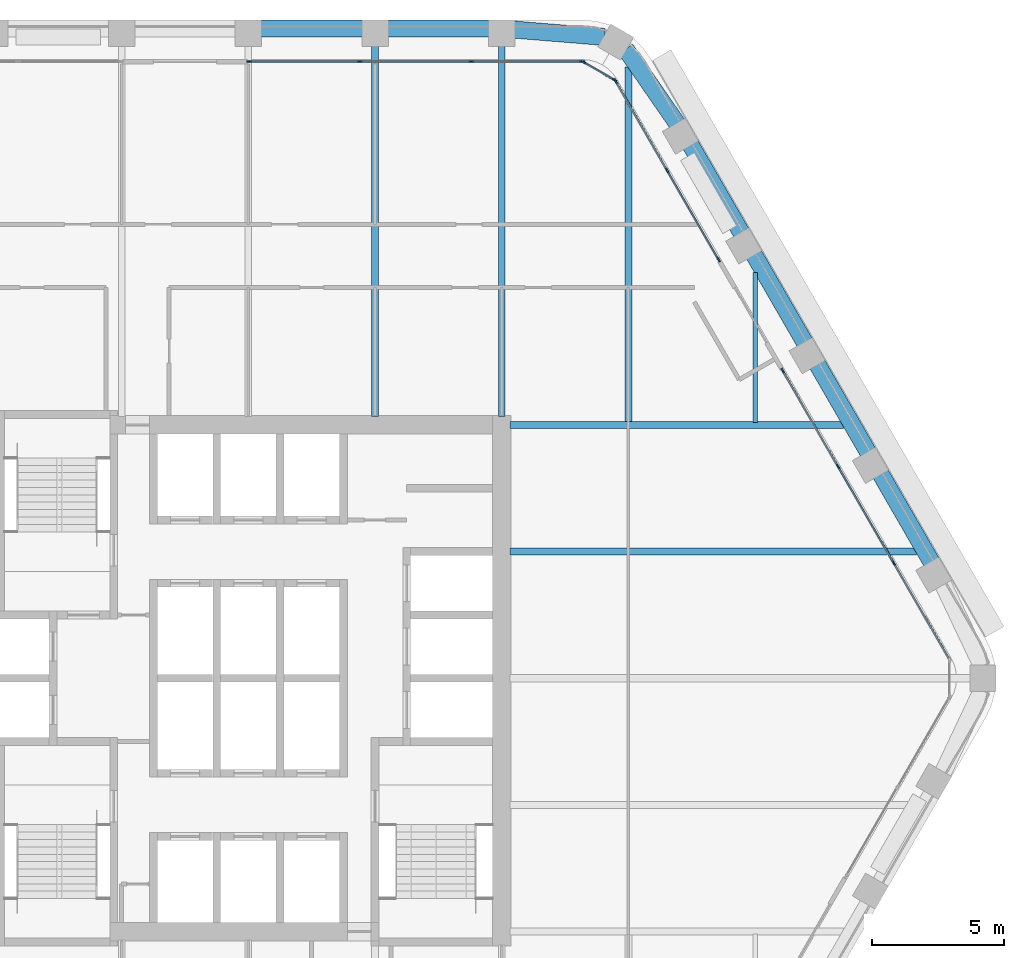
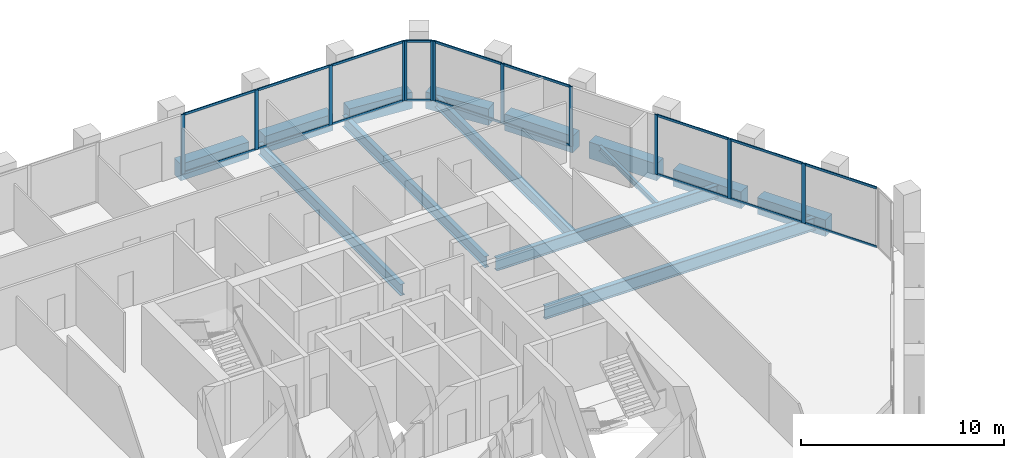
# One storey, part 7 of 18: 30 members, 14 beams, 4 elements without a shape of their own.
"""IFC4 building model written with IfcOpenShell, lengths in metres."""

from ifc_helpers import new_model, si_unit, direction, frame, origin, origin_2d, place, context, subcontext, project, spatial, rectangle, i_section, extrude, material, material_profile, profile_set, type_object, element, aggregate, save


model = new_model("IFC4")

# Units and contexts
model_context = context("Model", 3, precision=1e-05, world=origin(), true_north=direction((0.0, 1.0)))
body_context = subcontext(model_context, "Body", "Model", "MODEL_VIEW")
ifc_project = project(units=[si_unit("LENGTHUNIT", "METRE"), si_unit("AREAUNIT", "SQUARE_METRE"), si_unit("VOLUMEUNIT", "CUBIC_METRE"), si_unit("PLANEANGLEUNIT", "RADIAN"), si_unit("MASSUNIT", "GRAM", prefix="KILO")], contexts=[model_context])

# Site, building, storey
site_placement = place(None, origin())
site = spatial("IfcSite", under=ifc_project, at=site_placement, CompositionType="ELEMENT")
building_placement = place(site_placement, origin())
building = spatial("IfcBuilding", under=site, at=building_placement, Name="Kolab Exchange Tower", CompositionType="ELEMENT")
storey_placement = place(building_placement, frame((0.0, 0.0, 212.89990234375)))
storey = spatial("IfcBuildingStorey", under=building, at=storey_placement, Name="L46", CompositionType="ELEMENT", Elevation=212.89990234375)

# Beams
ifc_material_1 = material(Name="Steel S355", Category="steel")
ifc_material_profile_1 = material_profile(ifc_material_1, i_section(OverallWidth=0.1650390625, OverallDepth=0.31005859375, WebThickness=0.005859375, FlangeThickness=0.009765625, at=origin_2d()), Name="W310X39")
ifc_profile_set_1 = profile_set([ifc_material_profile_1], Name="Steel S355")
beam_type_1 = type_object("IfcBeamType", Name="FLOOR BEAM W310X39", PredefinedType="BEAM", material=ifc_profile_set_1)
beam_1_placement = place(storey_placement, frame((19.199951171875, 9.693603515625, -0.304931640625), z_axis=(0.0, 1.0, 0.0), x_axis=(-1.0, 0.0, 0.0)))
element("IfcBeam", 1, at=beam_1_placement, inside=storey, type_object=beam_type_1, Name="beam/L46/fr/031", PredefinedType="BEAM", context=body_context, shape_type="SweptSolid", body=[
    extrude(i_section(OverallWidth=0.1650390625, OverallDepth=0.31005859375, WebThickness=0.005859375, FlangeThickness=0.009765625, at=origin_2d()), origin(), (0.0, 0.0, 1.0), 5.674072265625),
])
ifc_material_profile_2 = material_profile(ifc_material_1, i_section(OverallWidth=0.25390625, OverallDepth=0.68408203125, WebThickness=0.012451171875, FlangeThickness=0.018798828125, at=origin_2d()), Name="W690X140")
ifc_profile_set_2 = profile_set([ifc_material_profile_2], Name="Steel S355")
beam_type_2 = type_object("IfcBeamType", Name="FLOOR BEAM W690X140", PredefinedType="BEAM", material=ifc_profile_set_2)
for number, where, z_axis, x_axis, name in (
    (2, (4.800048828125, 9.909912109375, -0.491943359375), (0.0, 1.0, 0.0), (-1.0, 0.0, 0.0), "beam/L46/fr/020"),
    (3, (9.60009765625, 9.909912109375, -0.491943359375), (0.0, 1.0, 0.0), (-1.0, 0.0, 0.0), "beam/L46/fr/024"),
):
    element("IfcBeam", number, at=place(storey_placement, frame(where, z_axis=z_axis, x_axis=x_axis)), inside=storey, type_object=beam_type_2, Name=name, PredefinedType="BEAM", context=body_context, shape_type="SweptSolid", body=[
        extrude(i_section(OverallWidth=0.25390625, OverallDepth=0.68408203125, WebThickness=0.012451171875, FlangeThickness=0.018798828125, at=origin_2d()), origin(), (0.0, 0.0, 1.0), 14.071533203125),
    ])
beam_2_placement = place(storey_placement, frame((14.39990234375, 9.693603515625, -0.491943359375), z_axis=(0.0, 1.0, 0.0), x_axis=(-1.0, 0.0, 0.0)))
element("IfcBeam", 4, at=beam_2_placement, inside=storey, type_object=beam_type_2, Name="beam/L46/fr/029", PredefinedType="BEAM", context=body_context, shape_type="SweptSolid", body=[
    extrude(i_section(OverallWidth=0.25390625, OverallDepth=0.68408203125, WebThickness=0.012451171875, FlangeThickness=0.018798828125, at=origin_2d()), origin(), (0.0, 0.0, 1.0), 13.462158203125),
])
ifc_material_profile_3 = material_profile(ifc_material_1, i_section(OverallWidth=0.26708984375, OverallDepth=0.761962890625, WebThickness=0.014404296875, FlangeThickness=0.021484375, at=origin_2d()), Name="W760X173")
ifc_profile_set_3 = profile_set([ifc_material_profile_3], Name="Steel S355")
beam_type_3 = type_object("IfcBeamType", Name="FLOOR BEAM W760X173", PredefinedType="BEAM", material=ifc_profile_set_3)
beam_3_placement = place(storey_placement, frame((9.909912109375, 4.800048828125, -0.531005859375), z_axis=(1.0, 0.0, 0.0), x_axis=(0.0, 1.0, 0.0)))
element("IfcBeam", 5, at=beam_3_placement, inside=storey, type_object=beam_type_3, Name="beam/L46/fr/027", PredefinedType="BEAM", context=body_context, shape_type="SweptSolid", body=[
    extrude(i_section(OverallWidth=0.26708984375, OverallDepth=0.761962890625, WebThickness=0.014404296875, FlangeThickness=0.021484375, at=origin_2d()), origin(), (0.0, 0.0, 1.0), 15.408203125),
])
ifc_material_profile_4 = material_profile(ifc_material_1, i_section(OverallWidth=0.26708984375, OverallDepth=0.761962890625, WebThickness=0.014404296875, FlangeThickness=0.021484375, at=origin_2d()), Name="W760X173")
ifc_profile_set_4 = profile_set([ifc_material_profile_4], Name="Steel S355")
beam_type_4 = type_object("IfcBeamType", Name="FLOOR GIRDER W760X173", PredefinedType="BEAM", material=ifc_profile_set_4)
beam_4_placement = place(storey_placement, frame((9.909912109375, 9.60009765625, -0.531005859375), z_axis=(1.0, 0.0, 0.0), x_axis=(0.0, 1.0, 0.0)))
element("IfcBeam", 6, at=beam_4_placement, inside=storey, type_object=beam_type_4, Name="beam/L46/gd/003", PredefinedType="BEAM", context=body_context, shape_type="SweptSolid", body=[
    extrude(i_section(OverallWidth=0.26708984375, OverallDepth=0.761962890625, WebThickness=0.014404296875, FlangeThickness=0.021484375, at=origin_2d()), origin(), (0.0, 0.0, 1.0), 12.636962890625),
])
ifc_material_2 = material(Name="Concrete C60/75", Category="concrete")
ifc_material_profile_5 = material_profile(ifc_material_2, rectangle(XDim=0.64990234375, YDim=1.0, at=origin_2d()), Name="RC650X1000")
ifc_profile_set_5 = profile_set([ifc_material_profile_5], Name="Concrete C60/75")
beam_type_5 = type_object("IfcBeamType", Name="SPANDREL BEAM 650X1000 C60/75", PredefinedType="BEAM", material=ifc_profile_set_5)
beam_5_placement = place(storey_placement, frame((0.4599609375, 24.616455078125, -0.64990234375), z_axis=(1.0, 0.0, 0.0), x_axis=(0.0, 1.0, 0.0)))
element("IfcBeam", 7, at=beam_5_placement, inside=storey, type_object=beam_type_5, Name="beam/L46/sp/F1-04", PredefinedType="BEAM", context=body_context, shape_type="SweptSolid", body=[
    extrude(rectangle(XDim=0.64990234375, YDim=1.0, at=origin_2d()), origin(), (0.0, 0.0, 1.0), 3.880126953125),
])
beam_6_placement = place(storey_placement, frame((5.260009765625, 24.616455078125, -0.64990234375), z_axis=(1.0, 0.0, 0.0), x_axis=(0.0, 1.0, 0.0)))
element("IfcBeam", 8, at=beam_6_placement, inside=storey, type_object=beam_type_5, Name="beam/L46/sp/F1-05", PredefinedType="BEAM", context=body_context, shape_type="SweptSolid", body=[
    extrude(rectangle(XDim=0.64990234375, YDim=1.0, at=origin_2d()), origin(), (0.0, 0.0, 1.0), 3.8798828125),
])
for number, where, z_axis, x_axis, name in (
    (9, (10.06005859375, 24.5791015625, -0.64990234375), (0.996708497182, -0.081068931445, 0.0), (0.081068931445, 0.996708497182, 0.0), "beam/L46/sp/F1-06"),
    (10, (14.29736328125, 23.8359375, -0.64990234375), (0.568572281073, -0.822633309073, 0.0), (0.822633309073, 0.568572281073, 0.0), "beam/L46/sp/F2-01"),
):
    element("IfcBeam", number, at=place(storey_placement, frame(where, z_axis=z_axis, x_axis=x_axis)), inside=storey, type_object=beam_type_5, Name=name, PredefinedType="BEAM", context=body_context, shape_type="SweptSolid", body=[
        extrude(rectangle(XDim=0.64990234375, YDim=1.0, at=origin_2d()), origin(), (0.0, 0.0, 1.0), 3.445068359375),
    ])
beam_7_placement = place(storey_placement, frame((16.74853515625, 20.2236328125, -0.64990234375), z_axis=(0.499996613652, -0.866027358884, 0.0), x_axis=(0.866027358884, 0.499996613652, 0.0)))
element("IfcBeam", 11, at=beam_7_placement, inside=storey, type_object=beam_type_5, Name="beam/L46/sp/F2-02", PredefinedType="BEAM", context=body_context, shape_type="SweptSolid", body=[
    extrude(rectangle(XDim=0.64990234375, YDim=1.0, at=origin_2d()), origin(), (0.0, 0.0, 1.0), 3.8798828125),
])
beam_8_placement = place(storey_placement, frame((19.1484375, 16.06689453125, -0.64990234375), z_axis=(0.50001655835, -0.866015843605, 0.0), x_axis=(0.866015843605, 0.50001655835, 0.0)))
element("IfcBeam", 12, at=beam_8_placement, inside=storey, type_object=beam_type_5, Name="beam/L46/sp/F2-03", PredefinedType="BEAM", context=body_context, shape_type="SweptSolid", body=[
    extrude(rectangle(XDim=0.64990234375, YDim=1.0, at=origin_2d()), origin(), (0.0, 0.0, 1.0), 3.880126953125),
])
for number, where, z_axis, x_axis, name in (
    (13, (21.548583984375, 11.909912109375, -0.64990234375), (0.499996613652, -0.866027358884, 0.0), (0.866027358884, 0.499996613652, 0.0), "beam/L46/sp/F2-04"),
    (14, (23.948486328125, 7.7529296875, -0.64990234375), (0.499996613652, -0.866027358884, 0.0), (0.866027358884, 0.499996613652, 0.0), "beam/L46/sp/F2-05"),
):
    element("IfcBeam", number, at=place(storey_placement, frame(where, z_axis=z_axis, x_axis=x_axis)), inside=storey, type_object=beam_type_5, Name=name, PredefinedType="BEAM", context=body_context, shape_type="SweptSolid", body=[
        extrude(rectangle(XDim=0.64990234375, YDim=1.0, at=origin_2d()), origin(), (0.0, 0.0, 1.0), 3.8798828125),
    ])

# Curtain wall, members
ifc_material_3 = material(Name="Aluminium EN AW-6063 T6", Category="aluminium")
curtain_wall_type = type_object("IfcCurtainWallType", Name="UNITISED UPPER MID ZONE CURTAIN WALL", PredefinedType="NOTDEFINED", material=ifc_material_3)
curtain_wall_1_placement = place(storey_placement, origin())
curtain_wall_1 = element("IfcCurtainWall", 15, at=curtain_wall_1_placement, inside=storey, type_object=curtain_wall_type, Name="cw/L46/F1-2", PredefinedType="NOTDEFINED")
ifc_material_profile_6 = material_profile(ifc_material_3, rectangle(XDim=0.06005859375, YDim=0.199951171875, at=origin_2d()), Name="RECT 60X200")
ifc_profile_set_6 = profile_set([ifc_material_profile_6], Name="Aluminium EN AW-6063 T6")
member_type_1 = type_object("IfcMemberType", Name="UNITISED UPPER MID ZONE MULLION 60 X 200", PredefinedType="MULLION", material=ifc_profile_set_6)
member_1_placement = place(storey_placement, frame((0.030029296875, 23.361572265625, 0.0), z_axis=(0.0, 0.0, 1.0), x_axis=(0.0, 1.0, 0.0)))
member_1 = element("IfcMember", 16, at=member_1_placement, type_object=member_type_1, Name="CW3 mullion 1", PredefinedType="MULLION", context=body_context, shape_type="SweptSolid", body=[
    extrude(rectangle(XDim=0.06005859375, YDim=0.199951171875, at=origin_2d()), origin(), (0.0, 0.0, 1.0), 3.60009765625),
])
member_2_placement = place(storey_placement, frame((4.22265625, 23.361572265625, 0.0), z_axis=(0.0, 0.0, 1.0), x_axis=(0.0, 1.0, 0.0)))
member_2 = element("IfcMember", 17, at=member_2_placement, type_object=member_type_1, Name="CW3 mullion 2", PredefinedType="MULLION", context=body_context, shape_type="SweptSolid", body=[
    extrude(rectangle(XDim=0.06005859375, YDim=0.199951171875, at=origin_2d()), origin(), (0.0, 0.0, 1.0), 3.60009765625),
])
member_3_placement = place(storey_placement, frame((8.4453125, 23.361572265625, 0.0), z_axis=(0.0, 0.0, 1.0), x_axis=(0.0, 1.0, 0.0)))
member_3 = element("IfcMember", 18, at=member_3_placement, type_object=member_type_1, Name="CW3 mullion 3", PredefinedType="MULLION", context=body_context, shape_type="SweptSolid", body=[
    extrude(rectangle(XDim=0.06005859375, YDim=0.199951171875, at=origin_2d()), origin(), (0.0, 0.0, 1.0), 3.60009765625),
])
member_4_placement = place(storey_placement, frame((12.637939453125, 23.361572265625, 0.0), z_axis=(0.0, 0.0, 1.0), x_axis=(0.0, 1.0, 0.0)))
member_4 = element("IfcMember", 19, at=member_4_placement, type_object=member_type_1, Name="CW3 mullion 4", PredefinedType="MULLION", context=body_context, shape_type="SweptSolid", body=[
    extrude(rectangle(XDim=0.06005859375, YDim=0.199951171875, at=origin_2d()), origin(), (0.0, 0.0, 1.0), 3.60009765625),
])

curtain_wall_2_placement = place(storey_placement, origin())
curtain_wall_2 = element("IfcCurtainWall", 20, at=curtain_wall_2_placement, inside=storey, type_object=curtain_wall_type, Name="cw/L46/F2-1", PredefinedType="NOTDEFINED")
member_5_placement = place(storey_placement, frame((13.91259765625, 22.62548828125, 0.0), z_axis=(0.0, 0.0, 1.0), x_axis=(0.866025385493, 0.500000031681, 0.0)))
member_5 = element("IfcMember", 21, at=member_5_placement, type_object=member_type_1, Name="CW3 mullion 1", PredefinedType="MULLION", context=body_context, shape_type="SweptSolid", body=[
    extrude(rectangle(XDim=0.06005859375, YDim=0.199951171875, at=origin_2d()), origin(), (0.0, 0.0, 1.0), 3.60009765625),
])
member_6_placement = place(storey_placement, frame((15.86474609375, 19.24462890625, 0.0), z_axis=(0.0, 0.0, 1.0), x_axis=(0.866025385493, 0.500000031681, 0.0)))
member_6 = element("IfcMember", 22, at=member_6_placement, type_object=member_type_1, Name="CW3 mullion 2", PredefinedType="MULLION", context=body_context, shape_type="SweptSolid", body=[
    extrude(rectangle(XDim=0.06005859375, YDim=0.199951171875, at=origin_2d()), origin(), (0.0, 0.0, 1.0), 3.60009765625),
])
member_7_placement = place(storey_placement, frame((17.816650390625, 15.86376953125, 0.0), z_axis=(0.0, 0.0, 1.0), x_axis=(0.866025385493, 0.500000031681, 0.0)))
member_7 = element("IfcMember", 23, at=member_7_placement, type_object=member_type_1, Name="CW3 mullion 3", PredefinedType="MULLION", context=body_context, shape_type="SweptSolid", body=[
    extrude(rectangle(XDim=0.06005859375, YDim=0.199951171875, at=origin_2d()), origin(), (0.0, 0.0, 1.0), 3.60009765625),
])

curtain_wall_3_placement = place(storey_placement, origin())
curtain_wall_3 = element("IfcCurtainWall", 24, at=curtain_wall_3_placement, inside=storey, type_object=curtain_wall_type, Name="cw/L46/F2-2", PredefinedType="NOTDEFINED")
member_8_placement = place(storey_placement, frame((20.24658203125, 11.65478515625, 0.0), z_axis=(0.0, 0.0, 1.0), x_axis=(0.866025427826, 0.499999958358, 0.0)))
member_8 = element("IfcMember", 25, at=member_8_placement, type_object=member_type_1, Name="CW3 mullion 1", PredefinedType="MULLION", context=body_context, shape_type="SweptSolid", body=[
    extrude(rectangle(XDim=0.06005859375, YDim=0.199951171875, at=origin_2d()), origin(), (0.0, 0.0, 1.0), 3.60009765625),
])
member_9_placement = place(storey_placement, frame((22.343017578125, 8.02392578125, 0.0), z_axis=(0.0, 0.0, 1.0), x_axis=(0.866025427826, 0.499999958358, 0.0)))
member_9 = element("IfcMember", 26, at=member_9_placement, type_object=member_type_1, Name="CW3 mullion 2", PredefinedType="MULLION", context=body_context, shape_type="SweptSolid", body=[
    extrude(rectangle(XDim=0.06005859375, YDim=0.199951171875, at=origin_2d()), origin(), (0.0, 0.0, 1.0), 3.60009765625),
])
member_10_placement = place(storey_placement, frame((24.454345703125, 4.366943359375, 0.0), z_axis=(0.0, 0.0, 1.0), x_axis=(0.866025427826, 0.499999958358, 0.0)))
member_10 = element("IfcMember", 27, at=member_10_placement, type_object=member_type_1, Name="CW3 mullion 3", PredefinedType="MULLION", context=body_context, shape_type="SweptSolid", body=[
    extrude(rectangle(XDim=0.06005859375, YDim=0.199951171875, at=origin_2d()), origin(), (0.0, 0.0, 1.0), 3.60009765625),
])

curtain_wall_4_placement = place(storey_placement, origin())
curtain_wall_4 = element("IfcCurtainWall", 28, at=curtain_wall_4_placement, inside=storey, type_object=curtain_wall_type, Name="cw/L46/F1F2-corner", PredefinedType="NOTDEFINED")
member_11_placement = place(storey_placement, frame((12.69384765625, 23.346435546875, 0.0), z_axis=(0.0, 0.0, 1.0), x_axis=(0.50000002237, 0.866025390869, 0.0)))
member_11 = element("IfcMember", 29, at=member_11_placement, type_object=member_type_1, Name="CW3 mullion 1", PredefinedType="MULLION", context=body_context, shape_type="SweptSolid", body=[
    extrude(rectangle(XDim=0.06005859375, YDim=0.199951171875, at=origin_2d()), origin(), (0.0, 0.0, 1.0), 3.60009765625),
])
member_12_placement = place(storey_placement, frame((13.871826171875, 22.66650390625, 0.0), z_axis=(0.0, 0.0, 1.0), x_axis=(0.50000002237, 0.866025390869, 0.0)))
member_12 = element("IfcMember", 30, at=member_12_placement, type_object=member_type_1, Name="CW3 mullion 2", PredefinedType="MULLION", context=body_context, shape_type="SweptSolid", body=[
    extrude(rectangle(XDim=0.06005859375, YDim=0.199951171875, at=origin_2d()), origin(), (0.0, 0.0, 1.0), 3.60009765625),
])

# Member
ifc_material_profile_7 = material_profile(ifc_material_3, rectangle(XDim=0.06005859375, YDim=0.139892578125, at=origin_2d()), Name="RECT 60X140")
ifc_profile_set_7 = profile_set([ifc_material_profile_7], Name="Aluminium EN AW-6063 T6")
member_type_2 = type_object("IfcMemberType", Name="UNITISED UPPER MID ZONE TRANSOM 60 X 140", PredefinedType="USERDEFINED", material=ifc_profile_set_7)
member_13_placement = place(storey_placement, frame((0.06005859375, 23.361572265625, 0.030029296875), z_axis=(1.0, 0.0, 0.0), x_axis=(0.0, 1.0, 0.0)))
member_13 = element("IfcMember", 31, at=member_13_placement, type_object=member_type_2, Name="CW3 transom 1.1", ObjectType="TRANSOM", PredefinedType="USERDEFINED", context=body_context, shape_type="SweptSolid", body=[
    extrude(rectangle(XDim=0.06005859375, YDim=0.139892578125, at=origin_2d()), origin(), (0.0, 0.0, 1.0), 4.132568359375),
])

member_14_placement = place(storey_placement, frame((0.06005859375, 23.361572265625, 3.570068359375), z_axis=(1.0, 0.0, 0.0), x_axis=(0.0, 1.0, 0.0)))
member_14 = element("IfcMember", 32, at=member_14_placement, type_object=member_type_2, Name="CW3 transom 1.2", ObjectType="TRANSOM", PredefinedType="USERDEFINED", context=body_context, shape_type="SweptSolid", body=[
    extrude(rectangle(XDim=0.06005859375, YDim=0.139892578125, at=origin_2d()), origin(), (0.0, 0.0, 1.0), 4.132568359375),
])

member_15_placement = place(storey_placement, frame((4.252685546875, 23.361572265625, 0.030029296875), z_axis=(1.0, 0.0, 0.0), x_axis=(0.0, 1.0, 0.0)))
member_15 = element("IfcMember", 33, at=member_15_placement, type_object=member_type_2, Name="CW3 transom 2.1", ObjectType="TRANSOM", PredefinedType="USERDEFINED", context=body_context, shape_type="SweptSolid", body=[
    extrude(rectangle(XDim=0.06005859375, YDim=0.139892578125, at=origin_2d()), origin(), (0.0, 0.0, 1.0), 4.16259765625),
])

member_16_placement = place(storey_placement, frame((4.252685546875, 23.361572265625, 3.570068359375), z_axis=(1.0, 0.0, 0.0), x_axis=(0.0, 1.0, 0.0)))
member_16 = element("IfcMember", 34, at=member_16_placement, type_object=member_type_2, Name="CW3 transom 2.2", ObjectType="TRANSOM", PredefinedType="USERDEFINED", context=body_context, shape_type="SweptSolid", body=[
    extrude(rectangle(XDim=0.06005859375, YDim=0.139892578125, at=origin_2d()), origin(), (0.0, 0.0, 1.0), 4.16259765625),
])

member_17_placement = place(storey_placement, frame((8.475341796875, 23.361572265625, 0.030029296875), z_axis=(1.0, 0.0, 0.0), x_axis=(0.0, 1.0, 0.0)))
member_17 = element("IfcMember", 35, at=member_17_placement, type_object=member_type_2, Name="CW3 transom 3.1", ObjectType="TRANSOM", PredefinedType="USERDEFINED", context=body_context, shape_type="SweptSolid", body=[
    extrude(rectangle(XDim=0.06005859375, YDim=0.139892578125, at=origin_2d()), origin(), (0.0, 0.0, 1.0), 4.132568359375),
])

member_18_placement = place(storey_placement, frame((8.475341796875, 23.361572265625, 3.570068359375), z_axis=(1.0, 0.0, 0.0), x_axis=(0.0, 1.0, 0.0)))
member_18 = element("IfcMember", 36, at=member_18_placement, type_object=member_type_2, Name="CW3 transom 3.2", ObjectType="TRANSOM", PredefinedType="USERDEFINED", context=body_context, shape_type="SweptSolid", body=[
    extrude(rectangle(XDim=0.06005859375, YDim=0.139892578125, at=origin_2d()), origin(), (0.0, 0.0, 1.0), 4.132568359375),
])

aggregate(curtain_wall_1, [member_1, member_2, member_3, member_4, member_13, member_14, member_15, member_16, member_17, member_18])

member_19_placement = place(storey_placement, frame((13.927734375, 22.599609375, 0.030029296875), z_axis=(0.499964356602, -0.866045981532, 0.0), x_axis=(0.866045981532, 0.499964356602, 0.0)))
member_19 = element("IfcMember", 37, at=member_19_placement, type_object=member_type_2, Name="CW3 transom 1.1", ObjectType="TRANSOM", PredefinedType="USERDEFINED", context=body_context, shape_type="SweptSolid", body=[
    extrude(rectangle(XDim=0.06005859375, YDim=0.139892578125, at=origin_2d()), origin(), (0.0, 0.0, 1.0), 3.843994140625),
])

member_20_placement = place(storey_placement, frame((13.927734375, 22.599609375, 3.570068359375), z_axis=(0.499964356602, -0.866045981532, 0.0), x_axis=(0.866045981532, 0.499964356602, 0.0)))
member_20 = element("IfcMember", 38, at=member_20_placement, type_object=member_type_2, Name="CW3 transom 1.2", ObjectType="TRANSOM", PredefinedType="USERDEFINED", context=body_context, shape_type="SweptSolid", body=[
    extrude(rectangle(XDim=0.06005859375, YDim=0.139892578125, at=origin_2d()), origin(), (0.0, 0.0, 1.0), 3.843994140625),
])

member_21_placement = place(storey_placement, frame((15.879638671875, 19.21875, 0.030029296875), z_axis=(0.500011990396, -0.866018481016, 0.0), x_axis=(0.866018481016, 0.500011990396, 0.0)))
member_21 = element("IfcMember", 39, at=member_21_placement, type_object=member_type_2, Name="CW3 transom 2.1", ObjectType="TRANSOM", PredefinedType="USERDEFINED", context=body_context, shape_type="SweptSolid", body=[
    extrude(rectangle(XDim=0.06005859375, YDim=0.139892578125, at=origin_2d()), origin(), (0.0, 0.0, 1.0), 3.84423828125),
])

member_22_placement = place(storey_placement, frame((15.879638671875, 19.21875, 3.570068359375), z_axis=(0.500011990396, -0.866018481016, 0.0), x_axis=(0.866018481016, 0.500011990396, 0.0)))
member_22 = element("IfcMember", 40, at=member_22_placement, type_object=member_type_2, Name="CW3 transom 2.2", ObjectType="TRANSOM", PredefinedType="USERDEFINED", context=body_context, shape_type="SweptSolid", body=[
    extrude(rectangle(XDim=0.06005859375, YDim=0.139892578125, at=origin_2d()), origin(), (0.0, 0.0, 1.0), 3.84423828125),
])

aggregate(curtain_wall_2, [member_5, member_6, member_7, member_19, member_20, member_21, member_22])

member_23_placement = place(storey_placement, frame((20.26171875, 11.62890625, 0.030029296875), z_axis=(0.500001996123, -0.866024251319, 0.0), x_axis=(0.866024251319, 0.500001996123, 0.0)))
member_23 = element("IfcMember", 41, at=member_23_placement, type_object=member_type_2, Name="CW3 transom 1.1", ObjectType="TRANSOM", PredefinedType="USERDEFINED", context=body_context, shape_type="SweptSolid", body=[
    extrude(rectangle(XDim=0.06005859375, YDim=0.139892578125, at=origin_2d()), origin(), (0.0, 0.0, 1.0), 4.1328125),
])

member_24_placement = place(storey_placement, frame((20.26171875, 11.62890625, 3.570068359375), z_axis=(0.500001996123, -0.866024251319, 0.0), x_axis=(0.866024251319, 0.500001996123, 0.0)))
member_24 = element("IfcMember", 42, at=member_24_placement, type_object=member_type_2, Name="CW3 transom 1.2", ObjectType="TRANSOM", PredefinedType="USERDEFINED", context=body_context, shape_type="SweptSolid", body=[
    extrude(rectangle(XDim=0.06005859375, YDim=0.139892578125, at=origin_2d()), origin(), (0.0, 0.0, 1.0), 4.1328125),
])

member_25_placement = place(storey_placement, frame((22.35791015625, 7.997802734375, 0.030029296875), z_axis=(0.49999322259, -0.866029316688, 0.0), x_axis=(0.866029316688, 0.49999322259, 0.0)))
member_25 = element("IfcMember", 43, at=member_25_placement, type_object=member_type_2, Name="CW3 transom 2.1", ObjectType="TRANSOM", PredefinedType="USERDEFINED", context=body_context, shape_type="SweptSolid", body=[
    extrude(rectangle(XDim=0.06005859375, YDim=0.139892578125, at=origin_2d()), origin(), (0.0, 0.0, 1.0), 4.16259765625),
])

member_26_placement = place(storey_placement, frame((22.35791015625, 7.997802734375, 3.570068359375), z_axis=(0.49999322259, -0.866029316688, 0.0), x_axis=(0.866029316688, 0.49999322259, 0.0)))
member_26 = element("IfcMember", 44, at=member_26_placement, type_object=member_type_2, Name="CW3 transom 2.2", ObjectType="TRANSOM", PredefinedType="USERDEFINED", context=body_context, shape_type="SweptSolid", body=[
    extrude(rectangle(XDim=0.06005859375, YDim=0.139892578125, at=origin_2d()), origin(), (0.0, 0.0, 1.0), 4.16259765625),
])

member_27_placement = place(storey_placement, frame((24.46923828125, 4.3408203125, 0.030029296875), z_axis=(0.500027577057, -0.866009481578, 0.0), x_axis=(0.866009481578, 0.500027577057, 0.0)))
member_27 = element("IfcMember", 45, at=member_27_placement, type_object=member_type_2, Name="CW3 transom 3.1", ObjectType="TRANSOM", PredefinedType="USERDEFINED", context=body_context, shape_type="SweptSolid", body=[
    extrude(rectangle(XDim=0.06005859375, YDim=0.139892578125, at=origin_2d()), origin(), (0.0, 0.0, 1.0), 4.132568359375),
])

member_28_placement = place(storey_placement, frame((24.46923828125, 4.3408203125, 3.570068359375), z_axis=(0.500027577057, -0.866009481578, 0.0), x_axis=(0.866009481578, 0.500027577057, 0.0)))
member_28 = element("IfcMember", 46, at=member_28_placement, type_object=member_type_2, Name="CW3 transom 3.2", ObjectType="TRANSOM", PredefinedType="USERDEFINED", context=body_context, shape_type="SweptSolid", body=[
    extrude(rectangle(XDim=0.06005859375, YDim=0.139892578125, at=origin_2d()), origin(), (0.0, 0.0, 1.0), 4.132568359375),
])

aggregate(curtain_wall_3, [member_8, member_9, member_10, member_23, member_24, member_25, member_26, member_27, member_28])

member_29_placement = place(storey_placement, frame((12.719970703125, 23.33154296875, 0.030029296875), z_axis=(0.86603858612, -0.49997716683, 0.0), x_axis=(0.49997716683, 0.86603858612, 0.0)))
member_29 = element("IfcMember", 47, at=member_29_placement, type_object=member_type_2, Name="CW3 transom 1.1", ObjectType="TRANSOM", PredefinedType="USERDEFINED", context=body_context, shape_type="SweptSolid", body=[
    extrude(rectangle(XDim=0.06005859375, YDim=0.139892578125, at=origin_2d()), origin(), (0.0, 0.0, 1.0), 1.2998046875),
])

member_30_placement = place(storey_placement, frame((12.719970703125, 23.33154296875, 3.570068359375), z_axis=(0.86603858612, -0.49997716683, 0.0), x_axis=(0.49997716683, 0.86603858612, 0.0)))
member_30 = element("IfcMember", 48, at=member_30_placement, type_object=member_type_2, Name="CW3 transom 1.2", ObjectType="TRANSOM", PredefinedType="USERDEFINED", context=body_context, shape_type="SweptSolid", body=[
    extrude(rectangle(XDim=0.06005859375, YDim=0.139892578125, at=origin_2d()), origin(), (0.0, 0.0, 1.0), 1.2998046875),
])

aggregate(curtain_wall_4, [member_11, member_12, member_29, member_30])

save(model, "model.ifc")
